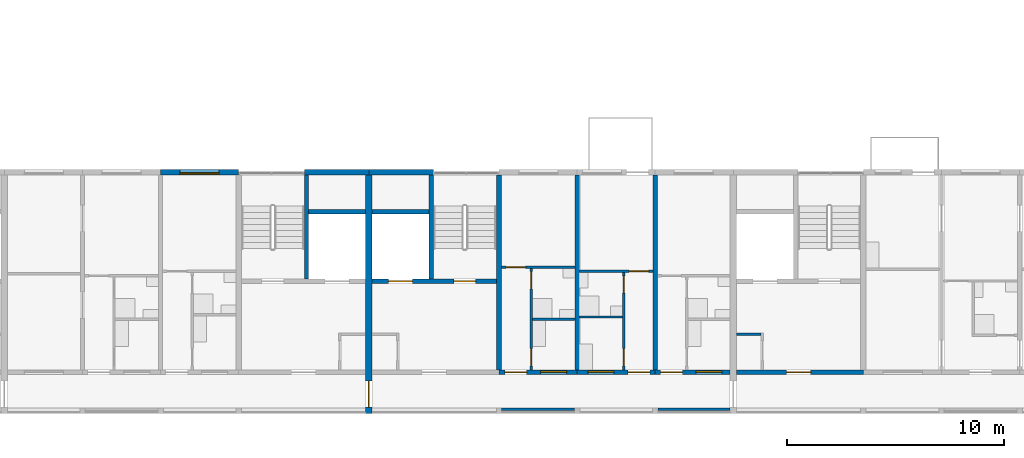
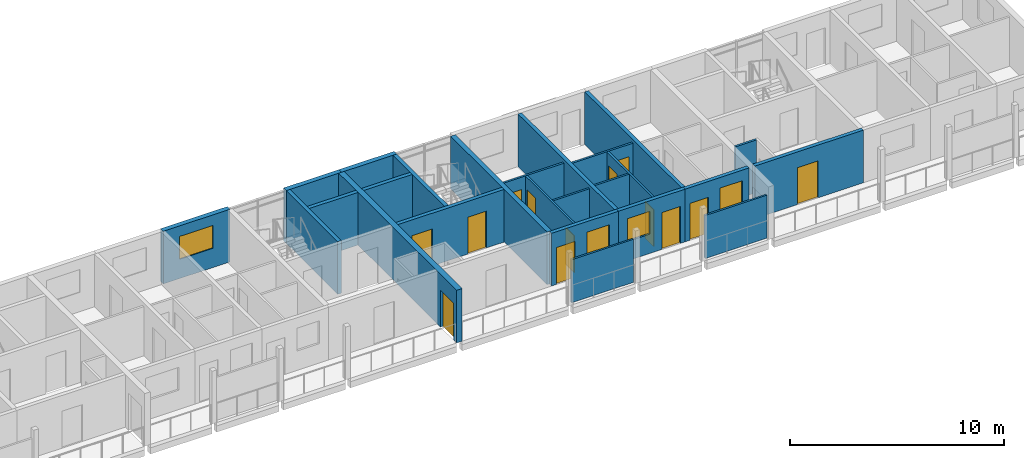
# One storey, part 53 of 93: 25 walls, 13 doors, 4 windows, 17 openings.
"""IFC4 building model written with IfcOpenShell, lengths in metres."""

from ifc_helpers import new_model, si_unit, direction, frame, frame_2d, origin, place, context, subcontext, project, spatial, rectangle, extrude, material, layer, layer_set, type_object, element, fill, save


model = new_model("IFC4")

# Units and contexts
model_context = context("Model", 3, precision=1e-05, world=origin(), true_north=direction((0.0, 1.0)))
body_context = subcontext(model_context, "Body", "Model", "MODEL_VIEW")
ifc_project = project(units=[si_unit("LENGTHUNIT", "METRE"), si_unit("AREAUNIT", "SQUARE_METRE"), si_unit("VOLUMEUNIT", "CUBIC_METRE"), si_unit("PLANEANGLEUNIT", "RADIAN"), si_unit("MASSUNIT", "GRAM", prefix="KILO")], contexts=[model_context])

# Site, building, storey
site_placement = place(None, origin())
site = spatial("IfcSite", under=ifc_project, at=site_placement, CompositionType="ELEMENT")
building_placement = place(site_placement, origin())
building = spatial("IfcBuilding", under=site, at=building_placement, Name="Ridgestep Commons", CompositionType="ELEMENT")
storey_placement = place(building_placement, frame((0.0, 0.0, 18.0)))
storey = spatial("IfcBuildingStorey", under=building, at=storey_placement, Name="L06", CompositionType="ELEMENT", Elevation=18.0)

# Wall
ifc_material_1 = material(Name="Concrete C30/37", Category="concrete")
ifc_layer_1 = layer(ifc_material_1, 0.25)
ifc_layer_set_1 = layer_set([ifc_layer_1], Name="Core cross wall 250")
wall_type_1 = type_object("IfcWallType", Name="Core cross wall 250", PredefinedType="SHEAR", material=ifc_layer_set_1)
wall_1_placement = place(storey_placement, frame((220.0, 13.75, 0.0), z_axis=(0.0, 0.0, 1.0), x_axis=(0.0, 1.0, 0.0)))
element("IfcWall", 1, at=wall_1_placement, inside=storey, type_object=wall_type_1, Name="Cross wall D-06-2200", PredefinedType="SHEAR", context=body_context, shape_type="SweptSolid", body=[
    extrude(rectangle(XDim=9.0, YDim=0.25, at=frame_2d((4.5, 0.0))), origin(), (0.0, 0.0, 1.0), 3.0),
])

# Wall, opening, door
ifc_material_2 = material(Name="Concrete C30/37", Category="concrete")
ifc_layer_2 = layer(ifc_material_2, 0.199951171875)
ifc_layer_set_2 = layer_set([ifc_layer_2], Name="Core south wall 200")
wall_type_2 = type_object("IfcWallType", Name="Core south wall 200", PredefinedType="SHEAR", material=ifc_layer_set_2)
wall_2_placement = place(storey_placement, frame((230.949951171875, 13.64990234375, 0.0), z_axis=(0.0, 0.0, 1.0), x_axis=(1.0, 0.0, 0.0)))
wall_2 = element("IfcWall", 2, at=wall_2_placement, inside=storey, type_object=wall_type_2, Name="Core south wall D6C L06", PredefinedType="SHEAR", context=body_context, shape_type="SweptSolid", body=[
    extrude(rectangle(XDim=5.85009765625, YDim=0.199951171875, at=frame_2d((2.925048828125, 0.0))), origin(), (0.0, 0.0, 1.0), 3.0),
])
opening_1_placement = place(wall_2_placement, frame((2.3125, 0.0, 0.0)))
opening_1 = element("IfcOpeningElement", 3, at=opening_1_placement, cuts=wall_2, Name="Opening D6C/06/1", PredefinedType="OPENING", context=body_context, shape_type="SweptSolid", body=[
    extrude(rectangle(XDim=1.10009765625, YDim=2.10009765625, at=frame_2d((0.550048828125, 1.050048828125))), frame((0.0, 0.10986328125, 0.0), z_axis=(0.0, -1.0, 0.0), x_axis=(1.0, 0.0, 0.0)), (0.0, 0.0, 1.0), 0.219970703125),
])
ifc_material_3 = material(Name="Steel fire door", Category="steel")
door_type_1 = type_object("IfcDoorType", Name="Lobby door 1100 x 2100 FD60", OperationType="NOTDEFINED", PredefinedType="DOOR", material=ifc_material_3)
door_1_placement = place(opening_1_placement, origin())
door_1 = element("IfcDoor", 4, at=door_1_placement, inside=storey, type_object=door_type_1, Name="Lobby door D6C/06/1", OperationType="SINGLE_SWING_LEFT", OverallHeight=2.10009765625, OverallWidth=1.10009765625, PredefinedType="DOOR", context=body_context, shape_type="SweptSolid", body=[
    extrude(rectangle(XDim=1.10009765625, YDim=2.10009765625, at=frame_2d((0.550048828125, 1.050048828125))), frame((0.0, 0.02490234375, 0.0), z_axis=(0.0, -1.0, 0.0), x_axis=(1.0, 0.0, 0.0)), (0.0, 0.0, 1.0), 0.050048828125),
])
fill(opening_1, door_1)

# Walls
ifc_material_4 = material(Name="Concrete C30/37", Category="concrete")
ifc_layer_3 = layer(ifc_material_4, 0.1201171875)
ifc_layer_set_3 = layer_set([ifc_layer_3], Name="Core wall 120")
wall_type_3 = type_object("IfcWallType", Name="Core wall 120", PredefinedType="SHEAR", material=ifc_layer_set_3)
wall_3_placement = place(storey_placement, frame((230.949951171875, 15.409912109375, 0.0), z_axis=(0.0, 0.0, 1.0), x_axis=(1.0, 0.0, 0.0)))
element("IfcWall", 5, at=wall_3_placement, inside=storey, type_object=wall_type_3, Name="Core riser n wall D6C L06", PredefinedType="SHEAR", context=body_context, shape_type="SweptSolid", body=[
    extrude(rectangle(XDim=1.130126953125, YDim=0.1201171875, at=frame_2d((0.56494140625, 0.0))), origin(), (0.0, 0.0, 1.0), 3.0),
])
ifc_material_5 = material(Name="Concrete C30/37", Category="concrete")
ifc_layer_4 = layer(ifc_material_5, 0.199951171875)
ifc_layer_set_4 = layer_set([ifc_layer_4], Name="Core wall 200")
wall_type_4 = type_object("IfcWallType", Name="Core wall 200", PredefinedType="SHEAR", material=ifc_layer_set_4)
wall_4_placement = place(storey_placement, frame((211.125, 17.949951171875, 0.0), z_axis=(0.0, 0.0, 1.0), x_axis=(0.0, 1.0, 0.0)))
element("IfcWall", 6, at=wall_4_placement, inside=storey, type_object=wall_type_4, Name="Core stair wall D4C L06", PredefinedType="SHEAR", context=body_context, shape_type="SweptSolid", body=[
    extrude(rectangle(XDim=4.800048828125, YDim=0.199951171875, at=frame_2d((2.39990234375, 0.0))), origin(), (0.0, 0.0, 1.0), 3.0),
])
wall_5_placement = place(storey_placement, frame((211.22509765625, 21.050048828125, 0.0), z_axis=(0.0, 0.0, 1.0), x_axis=(1.0, 0.0, 0.0)))
element("IfcWall", 7, at=wall_5_placement, inside=storey, type_object=wall_type_4, Name="Core duct wall D4C L06", PredefinedType="SHEAR", context=body_context, shape_type="SweptSolid", body=[
    extrude(rectangle(XDim=2.625, YDim=0.199951171875, at=frame_2d((1.3125, 0.0))), origin(), (0.0, 0.0, 1.0), 3.0),
])

# Wall, openings, doors
wall_6_placement = place(storey_placement, frame((214.14990234375, 17.85009765625, 0.0), z_axis=(0.0, 0.0, 1.0), x_axis=(1.0, 0.0, 0.0)))
wall_6 = element("IfcWall", 8, at=wall_6_placement, inside=storey, type_object=wall_type_4, Name="Core lobby wall D5C L06", PredefinedType="SHEAR", context=body_context, shape_type="SweptSolid", body=[
    extrude(rectangle(XDim=5.72509765625, YDim=0.199951171875, at=frame_2d((2.862548828125, 0.0))), origin(), (0.0, 0.0, 1.0), 3.0),
])
opening_2_placement = place(wall_6_placement, frame((3.77490234375, 0.0, 0.0)))
opening_2 = element("IfcOpeningElement", 9, at=opening_2_placement, cuts=wall_6, Name="Opening D5C/06/2", PredefinedType="OPENING", context=body_context, shape_type="SweptSolid", body=[
    extrude(rectangle(XDim=1.0, YDim=2.10009765625, at=frame_2d((0.5, 1.050048828125))), frame((0.0, 0.10986328125, 0.0), z_axis=(0.0, -1.0, 0.0), x_axis=(1.0, 0.0, 0.0)), (0.0, 0.0, 1.0), 0.219970703125),
])
opening_3_placement = place(wall_6_placement, frame((0.762451171875, 0.0, 0.0)))
opening_3 = element("IfcOpeningElement", 10, at=opening_3_placement, cuts=wall_6, Name="Opening D5C/06/3", PredefinedType="OPENING", context=body_context, shape_type="SweptSolid", body=[
    extrude(rectangle(XDim=1.10009765625, YDim=2.10009765625, at=frame_2d((0.550048828125, 1.050048828125))), frame((0.0, 0.10986328125, 0.0), z_axis=(0.0, -1.0, 0.0), x_axis=(1.0, 0.0, 0.0)), (0.0, 0.0, 1.0), 0.219970703125),
])
ifc_material_6 = material(Name="Stainless steel", Category="steel")
door_type_2 = type_object("IfcDoorType", Name="Lift landing door 1100 x 2100 FD60", OperationType="DOUBLE_DOOR_SLIDING", PredefinedType="DOOR", material=ifc_material_6)
door_2_placement = place(opening_3_placement, origin())
door_2 = element("IfcDoor", 11, at=door_2_placement, inside=storey, type_object=door_type_2, Name="Landing door LD D5C L06", OperationType="DOUBLE_DOOR_SLIDING", OverallHeight=2.10009765625, OverallWidth=1.10009765625, PredefinedType="DOOR", context=body_context, shape_type="SweptSolid", body=[
    extrude(rectangle(XDim=1.10009765625, YDim=2.10009765625, at=frame_2d((0.550048828125, 1.050048828125))), frame((0.0, 0.02490234375, 0.0), z_axis=(0.0, -1.0, 0.0), x_axis=(1.0, 0.0, 0.0)), (0.0, 0.0, 1.0), 0.050048828125),
])
fill(opening_3, door_2)
ifc_material_7 = material(Name="Steel fire door", Category="steel")
door_type_3 = type_object("IfcDoorType", Name="Stair door 1000 x 2100 FD60", OperationType="NOTDEFINED", PredefinedType="DOOR", material=ifc_material_7)
door_3_placement = place(opening_2_placement, origin())
door_3 = element("IfcDoor", 12, at=door_3_placement, inside=storey, type_object=door_type_3, Name="Stair door D5C/06/2", OperationType="SINGLE_SWING_RIGHT", OverallHeight=2.10009765625, OverallWidth=1.0, PredefinedType="DOOR", context=body_context, shape_type="SweptSolid", body=[
    extrude(rectangle(XDim=1.0, YDim=2.10009765625, at=frame_2d((0.5, 1.050048828125))), frame((0.0, 0.02490234375, 0.0), z_axis=(0.0, -1.0, 0.0), x_axis=(1.0, 0.0, 0.0)), (0.0, 0.0, 1.0), 0.050048828125),
])
fill(opening_2, door_3)

# Walls
wall_7_placement = place(storey_placement, frame((216.875, 17.949951171875, 0.0), z_axis=(0.0, 0.0, 1.0), x_axis=(0.0, 1.0, 0.0)))
element("IfcWall", 13, at=wall_7_placement, inside=storey, type_object=wall_type_4, Name="Core stair wall D5C L06", PredefinedType="SHEAR", context=body_context, shape_type="SweptSolid", body=[
    extrude(rectangle(XDim=4.800048828125, YDim=0.199951171875, at=frame_2d((2.39990234375, 0.0))), origin(), (0.0, 0.0, 1.0), 3.0),
])
wall_8_placement = place(storey_placement, frame((214.14990234375, 21.050048828125, 0.0), z_axis=(0.0, 0.0, 1.0), x_axis=(1.0, 0.0, 0.0)))
element("IfcWall", 14, at=wall_8_placement, inside=storey, type_object=wall_type_4, Name="Core duct wall D5C L06", PredefinedType="SHEAR", context=body_context, shape_type="SweptSolid", body=[
    extrude(rectangle(XDim=2.625, YDim=0.199951171875, at=frame_2d((1.3125, 0.0))), origin(), (0.0, 0.0, 1.0), 3.0),
])
ifc_material_8 = material(Name="Precast concrete C40/50", Category="concrete")
ifc_layer_5 = layer(ifc_material_8, 0.199951171875)
ifc_layer_set_5 = layer_set([ifc_layer_5], Name="Cross wall 200")
wall_type_5 = type_object("IfcWallType", Name="Cross wall 200", PredefinedType="SHEAR", material=ifc_layer_set_5)
for number, where, z_axis, x_axis, name in (
    (15, (223.60009765625, 13.75, 0.0), (0.0, 0.0, 1.0), (0.0, 1.0, 0.0), "Cross wall D-06-2236"),
    (16, (227.199951171875, 13.75, 0.0), (0.0, 0.0, 1.0), (0.0, 1.0, 0.0), "Cross wall D-06-2272"),
):
    element("IfcWall", number, at=place(storey_placement, frame(where, z_axis=z_axis, x_axis=x_axis)), inside=storey, type_object=wall_type_5, Name=name, PredefinedType="SHEAR", context=body_context, shape_type="SweptSolid", body=[
        extrude(rectangle(XDim=9.0, YDim=0.199951171875, at=frame_2d((4.5, 0.0))), origin(), (0.0, 0.0, 1.0), 3.0),
    ])

# Wall, opening, door
ifc_material_9 = material(Name="Precast concrete C40/50", Category="concrete")
ifc_layer_6 = layer(ifc_material_9, 0.300048828125)
ifc_layer_set_6 = layer_set([ifc_layer_6], Name="Division wall 300")
wall_type_6 = type_object("IfcWallType", Name="Division wall 300", PredefinedType="SHEAR", material=ifc_layer_set_6)
wall_9_placement = place(storey_placement, frame((214.0, 11.75, 0.0), z_axis=(0.0, 0.0, 1.0), x_axis=(0.0, 1.0, 0.0)))
wall_9 = element("IfcWall", 17, at=wall_9_placement, inside=storey, type_object=wall_type_6, Name="Cross wall D-06-2140", PredefinedType="SHEAR", context=body_context, shape_type="SweptSolid", body=[
    extrude(rectangle(XDim=11.0, YDim=0.300048828125, at=frame_2d((5.5, 0.0))), origin(), (0.0, 0.0, 1.0), 3.0),
])
opening_4_placement = place(wall_9_placement, frame((0.300048828125, 0.0, 0.0)))
opening_4 = element("IfcOpeningElement", 18, at=opening_4_placement, cuts=wall_9, Name="Opening D/06/G2140", PredefinedType="OPENING", context=body_context, shape_type="SweptSolid", body=[
    extrude(rectangle(XDim=1.199951171875, YDim=2.10009765625, at=frame_2d((0.60009765625, 1.050048828125))), frame((0.0, 0.159912109375, 0.0), z_axis=(0.0, -1.0, 0.0), x_axis=(1.0, 0.0, 0.0)), (0.0, 0.0, 1.0), 0.320068359375),
])
ifc_material_10 = material(Name="Steel fire door", Category="steel")
door_type_4 = type_object("IfcDoorType", Name="Division fire door 1200 x 2100 EI 240", OperationType="DOUBLE_DOOR_SINGLE_SWING", PredefinedType="DOOR", material=ifc_material_10)
door_4_placement = place(opening_4_placement, origin())
door_4 = element("IfcDoor", 19, at=door_4_placement, inside=storey, type_object=door_type_4, Name="Division fire door D/06/G2140", OperationType="DOUBLE_DOOR_SINGLE_SWING", OverallHeight=2.10009765625, OverallWidth=1.199951171875, PredefinedType="DOOR", context=body_context, shape_type="SweptSolid", body=[
    extrude(rectangle(XDim=1.199951171875, YDim=2.10009765625, at=frame_2d((0.60009765625, 1.050048828125))), frame((0.0, 0.02490234375, 0.0), z_axis=(0.0, -1.0, 0.0), x_axis=(1.0, 0.0, 0.0)), (0.0, 0.0, 1.0), 0.050048828125),
])
fill(opening_4, door_4)

# Wall, opening, window
ifc_material_11 = material(Name="Precast concrete C40/50", Category="concrete")
ifc_layer_7 = layer(ifc_material_11, 0.25)
ifc_layer_set_7 = layer_set([ifc_layer_7], Name="North facade panel 250")
wall_type_7 = type_object("IfcWallType", Name="North facade panel 250", PredefinedType="SOLIDWALL", material=ifc_layer_set_7)
wall_10_placement = place(storey_placement, frame((204.39990234375, 22.875, 0.0), z_axis=(0.0, 0.0, 1.0), x_axis=(1.0, 0.0, 0.0)))
wall_10 = element("IfcWall", 20, at=wall_10_placement, inside=storey, type_object=wall_type_7, Name="North panel D4T3 L06", PredefinedType="SOLIDWALL", context=body_context, shape_type="SweptSolid", body=[
    extrude(rectangle(XDim=3.60009765625, YDim=0.25, at=frame_2d((1.800048828125, 0.0))), origin(), (0.0, 0.0, 1.0), 3.0),
])
opening_5_placement = place(wall_10_placement, frame((0.887451171875, 0.0, 1.10009765625)))
opening_5 = element("IfcOpeningElement", 21, at=opening_5_placement, cuts=wall_10, Name="Opening W18", PredefinedType="OPENING", context=body_context, shape_type="SweptSolid", body=[
    extrude(rectangle(XDim=1.800048828125, YDim=1.300048828125, at=frame_2d((0.89990234375, 0.64990234375))), frame((0.0, 0.135009765625, 0.0), z_axis=(0.0, -1.0, 0.0), x_axis=(1.0, 0.0, 0.0)), (0.0, 0.0, 1.0), 0.27001953125),
])
ifc_material_12 = material(Name="Aluminium 6063-T6 and glass", Category="aluminium")
window_type_1 = type_object("IfcWindowType", Name="Flat window 1800 x 1300", PartitioningType="DOUBLE_PANEL_VERTICAL", PredefinedType="WINDOW", material=ifc_material_12)
window_1_placement = place(opening_5_placement, origin())
window_1 = element("IfcWindow", 22, at=window_1_placement, inside=storey, type_object=window_type_1, Name="Window D4-06b 2", OverallHeight=1.300048828125, OverallWidth=1.800048828125, PartitioningType="SINGLE_PANEL", PredefinedType="WINDOW", context=body_context, shape_type="SweptSolid", body=[
    extrude(rectangle(XDim=1.800048828125, YDim=1.300048828125, at=frame_2d((0.89990234375, 0.64990234375))), frame((0.0, -0.02490234375, 0.0), z_axis=(0.0, -1.0, 0.0), x_axis=(1.0, 0.0, 0.0)), (0.0, 0.0, 1.0), 0.06005859375),
])
fill(opening_5, window_1)

# Walls
for number, where, z_axis, x_axis, name in (
    (23, (211.02490234375, 22.875, 0.0), (0.0, 0.0, 1.0), (1.0, 0.0, 0.0), "North panel D4C L06"),
    (24, (214.0, 22.875, 0.0), (0.0, 0.0, 1.0), (1.0, 0.0, 0.0), "North panel D5C L06"),
):
    element("IfcWall", number, at=place(storey_placement, frame(where, z_axis=z_axis, x_axis=x_axis)), inside=storey, type_object=wall_type_7, Name=name, PredefinedType="SOLIDWALL", context=body_context, shape_type="SweptSolid", body=[
        extrude(rectangle(XDim=2.97509765625, YDim=0.25, at=frame_2d((1.487548828125, 0.0))), origin(), (0.0, 0.0, 1.0), 3.0),
    ])
ifc_material_13 = material(Name="Common brick 110 mm", Category="masonry")
ifc_layer_8 = layer(ifc_material_13, 0.110107421875)
ifc_layer_set_8 = layer_set([ifc_layer_8], Name="Partition 110")
wall_type_8 = type_object("IfcWallType", Name="Partition 110", PredefinedType="PARTITIONING", material=ifc_layer_set_8)
wall_11_placement = place(storey_placement, frame((223.699951171875, 16.205078125, 0.0), z_axis=(0.0, 0.0, 1.0), x_axis=(1.0, 0.0, 0.0)))
element("IfcWall", 25, at=wall_11_placement, inside=storey, type_object=wall_type_8, Name="Partition D5-06b", PredefinedType="PARTITIONING", context=body_context, shape_type="SweptSolid", body=[
    extrude(rectangle(XDim=1.989990234375, YDim=0.110107421875, at=frame_2d((0.9951171875, 0.0))), origin(), (0.0, 0.0, 1.0), 2.800048828125),
])

# Wall, openings, doors
wall_12_placement = place(storey_placement, frame((225.7451171875, 13.75, 0.0), z_axis=(0.0, 0.0, 1.0), x_axis=(0.0, 1.0, 0.0)))
wall_12 = element("IfcWall", 26, at=wall_12_placement, inside=storey, type_object=wall_type_8, Name="Partition D5-06b", PredefinedType="PARTITIONING", context=body_context, shape_type="SweptSolid", body=[
    extrude(rectangle(XDim=4.5, YDim=0.110107421875, at=frame_2d((2.25, 0.0))), origin(), (0.0, 0.0, 1.0), 2.800048828125),
])
opening_6_placement = place(wall_12_placement, frame((0.199951171875, 0.0, 0.0)))
opening_6 = element("IfcOpeningElement", 27, at=opening_6_placement, cuts=wall_12, Name="Opening D5-06b/2", PredefinedType="OPENING", context=body_context, shape_type="SweptSolid", body=[
    extrude(rectangle(XDim=0.800048828125, YDim=2.10009765625, at=frame_2d((0.39990234375, 1.050048828125))), frame((0.0, 0.06494140625, 0.0), z_axis=(0.0, -1.0, 0.0), x_axis=(1.0, 0.0, 0.0)), (0.0, 0.0, 1.0), 0.130126953125),
])
opening_7_placement = place(wall_12_placement, frame((3.550048828125, 0.0, 0.0)))
opening_7 = element("IfcOpeningElement", 28, at=opening_7_placement, cuts=wall_12, Name="Opening D5-06b/3", PredefinedType="OPENING", context=body_context, shape_type="SweptSolid", body=[
    extrude(rectangle(XDim=0.800048828125, YDim=2.10009765625, at=frame_2d((0.39990234375, 1.050048828125))), frame((0.0, 0.06494140625, 0.0), z_axis=(0.0, -1.0, 0.0), x_axis=(1.0, 0.0, 0.0)), (0.0, 0.0, 1.0), 0.130126953125),
])
ifc_material_14 = material(Name="Timber door leaf", Category="wood")
door_type_5 = type_object("IfcDoorType", Name="Internal door 800 x 2100", OperationType="NOTDEFINED", PredefinedType="DOOR", material=ifc_material_14)
door_5_placement = place(opening_6_placement, origin())
door_5 = element("IfcDoor", 29, at=door_5_placement, inside=storey, type_object=door_type_5, Name="Internal door D5-06b/2", OperationType="SINGLE_SWING_LEFT", OverallHeight=2.10009765625, OverallWidth=0.800048828125, PredefinedType="DOOR", context=body_context, shape_type="SweptSolid", body=[
    extrude(rectangle(XDim=0.800048828125, YDim=2.10009765625, at=frame_2d((0.39990234375, 1.050048828125))), frame((0.0, 0.02490234375, 0.0), z_axis=(0.0, -1.0, 0.0), x_axis=(1.0, 0.0, 0.0)), (0.0, 0.0, 1.0), 0.050048828125),
])
fill(opening_6, door_5)
door_6_placement = place(opening_7_placement, origin())
door_6 = element("IfcDoor", 30, at=door_6_placement, inside=storey, type_object=door_type_5, Name="Internal door D5-06b/3", OperationType="SINGLE_SWING_RIGHT", OverallHeight=2.10009765625, OverallWidth=0.800048828125, PredefinedType="DOOR", context=body_context, shape_type="SweptSolid", body=[
    extrude(rectangle(XDim=0.800048828125, YDim=2.10009765625, at=frame_2d((0.39990234375, 1.050048828125))), frame((0.0, 0.02490234375, 0.0), z_axis=(0.0, -1.0, 0.0), x_axis=(1.0, 0.0, 0.0)), (0.0, 0.0, 1.0), 0.050048828125),
])
fill(opening_7, door_6)

# Wall, opening, door
wall_13_placement = place(storey_placement, frame((223.699951171875, 18.304931640625, 0.0), z_axis=(0.0, 0.0, 1.0), x_axis=(1.0, 0.0, 0.0)))
wall_13 = element("IfcWall", 31, at=wall_13_placement, inside=storey, type_object=wall_type_8, Name="Partition D5-06b", PredefinedType="PARTITIONING", context=body_context, shape_type="SweptSolid", body=[
    extrude(rectangle(XDim=3.400146484375, YDim=0.110107421875, at=frame_2d((1.7001953125, 0.0))), origin(), (0.0, 0.0, 1.0), 2.800048828125),
])
opening_8_placement = place(wall_13_placement, frame((2.300048828125, 0.0, 0.0)))
opening_8 = element("IfcOpeningElement", 32, at=opening_8_placement, cuts=wall_13, Name="Opening D5-06b/4", PredefinedType="OPENING", context=body_context, shape_type="SweptSolid", body=[
    extrude(rectangle(XDim=0.89990234375, YDim=2.10009765625, at=frame_2d((0.449951171875, 1.050048828125))), frame((0.0, 0.06494140625, 0.0), z_axis=(0.0, -1.0, 0.0), x_axis=(1.0, 0.0, 0.0)), (0.0, 0.0, 1.0), 0.130126953125),
])
ifc_material_15 = material(Name="Timber door leaf", Category="wood")
door_type_6 = type_object("IfcDoorType", Name="Internal door 900 x 2100", OperationType="NOTDEFINED", PredefinedType="DOOR", material=ifc_material_15)
door_7_placement = place(opening_8_placement, origin())
door_7 = element("IfcDoor", 33, at=door_7_placement, inside=storey, type_object=door_type_6, Name="Internal door D5-06b/4", OperationType="SINGLE_SWING_LEFT", OverallHeight=2.10009765625, OverallWidth=0.89990234375, PredefinedType="DOOR", context=body_context, shape_type="SweptSolid", body=[
    extrude(rectangle(XDim=0.89990234375, YDim=2.10009765625, at=frame_2d((0.449951171875, 1.050048828125))), frame((0.0, 0.02490234375, 0.0), z_axis=(0.0, -1.0, 0.0), x_axis=(1.0, 0.0, 0.0)), (0.0, 0.0, 1.0), 0.050048828125),
])
fill(opening_8, door_7)

# Wall, openings, doors
wall_14_placement = place(storey_placement, frame((221.47998046875, 13.75, 0.0), z_axis=(0.0, 0.0, 1.0), x_axis=(0.0, 1.0, 0.0)))
wall_14 = element("IfcWall", 34, at=wall_14_placement, inside=storey, type_object=wall_type_8, Name="Partition D5-06c", PredefinedType="PARTITIONING", context=body_context, shape_type="SweptSolid", body=[
    extrude(rectangle(XDim=4.699951171875, YDim=0.110107421875, at=frame_2d((2.35009765625, 0.0))), origin(), (0.0, 0.0, 1.0), 2.800048828125),
])
opening_9_placement = place(wall_14_placement, frame((0.199951171875, 0.0, 0.0)))
opening_9 = element("IfcOpeningElement", 35, at=opening_9_placement, cuts=wall_14, Name="Opening D5-06c/2", PredefinedType="OPENING", context=body_context, shape_type="SweptSolid", body=[
    extrude(rectangle(XDim=0.800048828125, YDim=2.10009765625, at=frame_2d((0.39990234375, 1.050048828125))), frame((0.0, 0.06494140625, 0.0), z_axis=(0.0, -1.0, 0.0), x_axis=(1.0, 0.0, 0.0)), (0.0, 0.0, 1.0), 0.130126953125),
])
opening_10_placement = place(wall_14_placement, frame((3.75, 0.0, 0.0)))
opening_10 = element("IfcOpeningElement", 36, at=opening_10_placement, cuts=wall_14, Name="Opening D5-06c/3", PredefinedType="OPENING", context=body_context, shape_type="SweptSolid", body=[
    extrude(rectangle(XDim=0.800048828125, YDim=2.10009765625, at=frame_2d((0.39990234375, 1.050048828125))), frame((0.0, 0.06494140625, 0.0), z_axis=(0.0, -1.0, 0.0), x_axis=(1.0, 0.0, 0.0)), (0.0, 0.0, 1.0), 0.130126953125),
])
door_8_placement = place(opening_9_placement, origin())
door_8 = element("IfcDoor", 37, at=door_8_placement, inside=storey, type_object=door_type_5, Name="Internal door D5-06c/2", OperationType="SINGLE_SWING_RIGHT", OverallHeight=2.10009765625, OverallWidth=0.800048828125, PredefinedType="DOOR", context=body_context, shape_type="SweptSolid", body=[
    extrude(rectangle(XDim=0.800048828125, YDim=2.10009765625, at=frame_2d((0.39990234375, 1.050048828125))), frame((0.0, 0.02490234375, 0.0), z_axis=(0.0, -1.0, 0.0), x_axis=(1.0, 0.0, 0.0)), (0.0, 0.0, 1.0), 0.050048828125),
])
fill(opening_9, door_8)
door_9_placement = place(opening_10_placement, origin())
door_9 = element("IfcDoor", 38, at=door_9_placement, inside=storey, type_object=door_type_5, Name="Internal door D5-06c/3", OperationType="SINGLE_SWING_LEFT", OverallHeight=2.10009765625, OverallWidth=0.800048828125, PredefinedType="DOOR", context=body_context, shape_type="SweptSolid", body=[
    extrude(rectangle(XDim=0.800048828125, YDim=2.10009765625, at=frame_2d((0.39990234375, 1.050048828125))), frame((0.0, 0.02490234375, 0.0), z_axis=(0.0, -1.0, 0.0), x_axis=(1.0, 0.0, 0.0)), (0.0, 0.0, 1.0), 0.050048828125),
])
fill(opening_10, door_9)

# Wall
wall_15_placement = place(storey_placement, frame((221.534912109375, 16.10498046875, 0.0), z_axis=(0.0, 0.0, 1.0), x_axis=(1.0, 0.0, 0.0)))
element("IfcWall", 39, at=wall_15_placement, inside=storey, type_object=wall_type_8, Name="Partition D5-06c", PredefinedType="PARTITIONING", context=body_context, shape_type="SweptSolid", body=[
    extrude(rectangle(XDim=1.965087890625, YDim=0.110107421875, at=frame_2d((0.982421875, 0.0))), origin(), (0.0, 0.0, 1.0), 2.800048828125),
])

# Wall, opening, door
wall_16_placement = place(storey_placement, frame((220.125, 18.5048828125, 0.0), z_axis=(0.0, 0.0, 1.0), x_axis=(1.0, 0.0, 0.0)))
wall_16 = element("IfcWall", 40, at=wall_16_placement, inside=storey, type_object=wall_type_8, Name="Partition D5-06c", PredefinedType="PARTITIONING", context=body_context, shape_type="SweptSolid", body=[
    extrude(rectangle(XDim=3.375, YDim=0.110107421875, at=frame_2d((1.6875, 0.0))), origin(), (0.0, 0.0, 1.0), 2.800048828125),
])
opening_11_placement = place(wall_16_placement, frame((0.199951171875, 0.0, 0.0)))
opening_11 = element("IfcOpeningElement", 41, at=opening_11_placement, cuts=wall_16, Name="Opening D5-06c/4", PredefinedType="OPENING", context=body_context, shape_type="SweptSolid", body=[
    extrude(rectangle(XDim=0.89990234375, YDim=2.10009765625, at=frame_2d((0.449951171875, 1.050048828125))), frame((0.0, 0.06494140625, 0.0), z_axis=(0.0, -1.0, 0.0), x_axis=(1.0, 0.0, 0.0)), (0.0, 0.0, 1.0), 0.130126953125),
])
door_10_placement = place(opening_11_placement, origin())
door_10 = element("IfcDoor", 42, at=door_10_placement, inside=storey, type_object=door_type_6, Name="Internal door D5-06c/4", OperationType="SINGLE_SWING_LEFT", OverallHeight=2.10009765625, OverallWidth=0.89990234375, PredefinedType="DOOR", context=body_context, shape_type="SweptSolid", body=[
    extrude(rectangle(XDim=0.89990234375, YDim=2.10009765625, at=frame_2d((0.449951171875, 1.050048828125))), frame((0.0, 0.02490234375, 0.0), z_axis=(0.0, -1.0, 0.0), x_axis=(1.0, 0.0, 0.0)), (0.0, 0.0, 1.0), 0.050048828125),
])
fill(opening_11, door_10)

# Walls
ifc_material_16 = material(Name="Precast concrete C30/37", Category="concrete")
ifc_layer_9 = layer(ifc_material_16, 0.10009765625)
ifc_layer_set_9 = layer_set([ifc_layer_9], Name="Perforated gallery screen 3325 x 2450 x 100")
wall_type_9 = type_object("IfcWallType", Name="Perforated gallery screen 3325 x 2450 x 100", PredefinedType="SOLIDWALL", material=ifc_layer_set_9)
wall_17_placement = place(storey_placement, frame((227.324951171875, 11.949951171875, 0.0), z_axis=(0.0, 0.0, 1.0), x_axis=(1.0, 0.0, 0.0)))
element("IfcWall", 43, at=wall_17_placement, inside=storey, type_object=wall_type_9, Name="Gallery screen D5T1 06", PredefinedType="SOLIDWALL", context=body_context, shape_type="SweptSolid", body=[
    extrude(rectangle(XDim=3.324951171875, YDim=0.10009765625, at=frame_2d((1.66259765625, 0.0))), origin(), (0.0, 0.0, 1.0), 2.449951171875),
])
ifc_material_17 = material(Name="Precast concrete C30/37", Category="concrete")
ifc_layer_10 = layer(ifc_material_17, 0.10009765625)
ifc_layer_set_10 = layer_set([ifc_layer_10], Name="Perforated gallery screen 3350 x 2450 x 100")
wall_type_10 = type_object("IfcWallType", Name="Perforated gallery screen 3350 x 2450 x 100", PredefinedType="SOLIDWALL", material=ifc_layer_set_10)
wall_18_placement = place(storey_placement, frame((220.125, 11.949951171875, 0.0), z_axis=(0.0, 0.0, 1.0), x_axis=(1.0, 0.0, 0.0)))
element("IfcWall", 44, at=wall_18_placement, inside=storey, type_object=wall_type_10, Name="Gallery screen D5T3 06", PredefinedType="SOLIDWALL", context=body_context, shape_type="SweptSolid", body=[
    extrude(rectangle(XDim=3.35009765625, YDim=0.10009765625, at=frame_2d((1.675048828125, 0.0))), origin(), (0.0, 0.0, 1.0), 2.449951171875),
])

# Wall, openings, door, window
ifc_material_18 = material(Name="Precast concrete C40/50", Category="concrete")
ifc_layer_11 = layer(ifc_material_18, 0.199951171875)
ifc_layer_set_11 = layer_set([ifc_layer_11], Name="South facade panel 200")
wall_type_11 = type_object("IfcWallType", Name="South facade panel 200", PredefinedType="SOLIDWALL", material=ifc_layer_set_11)
wall_19_placement = place(storey_placement, frame((220.0, 13.64990234375, 0.0), z_axis=(0.0, 0.0, 1.0), x_axis=(1.0, 0.0, 0.0)))
wall_19 = element("IfcWall", 45, at=wall_19_placement, inside=storey, type_object=wall_type_11, Name="South panel D5T3 L06", PredefinedType="SOLIDWALL", context=body_context, shape_type="SweptSolid", body=[
    extrude(rectangle(XDim=3.60009765625, YDim=0.199951171875, at=frame_2d((1.800048828125, 0.0))), origin(), (0.0, 0.0, 1.0), 3.0),
])
opening_12_placement = place(wall_19_placement, frame((1.91748046875, 0.0, 1.10009765625)))
opening_12 = element("IfcOpeningElement", 46, at=opening_12_placement, cuts=wall_19, Name="Opening W08", PredefinedType="OPENING", context=body_context, shape_type="SweptSolid", body=[
    extrude(rectangle(XDim=1.199951171875, YDim=1.300048828125, at=frame_2d((0.60009765625, 0.64990234375))), frame((0.0, 0.10986328125, 0.0), z_axis=(0.0, -1.0, 0.0), x_axis=(1.0, 0.0, 0.0)), (0.0, 0.0, 1.0), 0.219970703125),
])
opening_13_placement = place(wall_19_placement, frame((0.27490234375, 0.0, 0.0)))
opening_13 = element("IfcOpeningElement", 47, at=opening_13_placement, cuts=wall_19, Name="Opening D5-06c/1", PredefinedType="OPENING", context=body_context, shape_type="SweptSolid", body=[
    extrude(rectangle(XDim=1.0, YDim=2.10009765625, at=frame_2d((0.5, 1.050048828125))), frame((0.0, 0.10986328125, 0.0), z_axis=(0.0, -1.0, 0.0), x_axis=(1.0, 0.0, 0.0)), (0.0, 0.0, 1.0), 0.219970703125),
])
ifc_material_19 = material(Name="Timber door leaf", Category="wood")
door_type_7 = type_object("IfcDoorType", Name="Flat entrance door 1000 x 2100 FD30S", OperationType="NOTDEFINED", PredefinedType="DOOR", material=ifc_material_19)
door_11_placement = place(opening_13_placement, origin())
door_11 = element("IfcDoor", 48, at=door_11_placement, inside=storey, type_object=door_type_7, Name="Flat entrance door D5-06c/1", OperationType="SINGLE_SWING_LEFT", OverallHeight=2.10009765625, OverallWidth=1.0, PredefinedType="DOOR", context=body_context, shape_type="SweptSolid", body=[
    extrude(rectangle(XDim=1.0, YDim=2.10009765625, at=frame_2d((0.5, 1.050048828125))), frame((0.0, 0.02490234375, 0.0), z_axis=(0.0, -1.0, 0.0), x_axis=(1.0, 0.0, 0.0)), (0.0, 0.0, 1.0), 0.050048828125),
])
fill(opening_13, door_11)
ifc_material_20 = material(Name="Aluminium 6063-T6 and glass", Category="aluminium")
window_type_2 = type_object("IfcWindowType", Name="Flat window 1200 x 1300", PartitioningType="SINGLE_PANEL", PredefinedType="WINDOW", material=ifc_material_20)
window_2_placement = place(opening_12_placement, origin())
window_2 = element("IfcWindow", 49, at=window_2_placement, inside=storey, type_object=window_type_2, Name="Window D5-06c 1", OverallHeight=1.300048828125, OverallWidth=1.199951171875, PartitioningType="SINGLE_PANEL", PredefinedType="WINDOW", context=body_context, shape_type="SweptSolid", body=[
    extrude(rectangle(XDim=1.199951171875, YDim=1.300048828125, at=frame_2d((0.60009765625, 0.64990234375))), frame((0.0, 0.06005859375, 0.0), z_axis=(0.0, -1.0, 0.0), x_axis=(1.0, 0.0, 0.0)), (0.0, 0.0, 1.0), 0.06005859375),
])
fill(opening_12, window_2)

wall_20_placement = place(storey_placement, frame((223.60009765625, 13.64990234375, 0.0), z_axis=(0.0, 0.0, 1.0), x_axis=(1.0, 0.0, 0.0)))
wall_20 = element("IfcWall", 50, at=wall_20_placement, inside=storey, type_object=wall_type_11, Name="South panel D5T2 L06", PredefinedType="SOLIDWALL", context=body_context, shape_type="SweptSolid", body=[
    extrude(rectangle(XDim=3.599853515625, YDim=0.199951171875, at=frame_2d((1.7998046875, 0.0))), origin(), (0.0, 0.0, 1.0), 3.0),
])
opening_14_placement = place(wall_20_placement, frame((0.4951171875, 0.0, 1.10009765625)))
opening_14 = element("IfcOpeningElement", 51, at=opening_14_placement, cuts=wall_20, Name="Opening W08", PredefinedType="OPENING", context=body_context, shape_type="SweptSolid", body=[
    extrude(rectangle(XDim=1.199951171875, YDim=1.300048828125, at=frame_2d((0.60009765625, 0.64990234375))), frame((0.0, 0.10986328125, 0.0), z_axis=(0.0, -1.0, 0.0), x_axis=(1.0, 0.0, 0.0)), (0.0, 0.0, 1.0), 0.219970703125),
])
opening_15_placement = place(wall_20_placement, frame((2.35009765625, 0.0, 0.0)))
opening_15 = element("IfcOpeningElement", 52, at=opening_15_placement, cuts=wall_20, Name="Opening D5-06b/1", PredefinedType="OPENING", context=body_context, shape_type="SweptSolid", body=[
    extrude(rectangle(XDim=1.0, YDim=2.10009765625, at=frame_2d((0.5, 1.050048828125))), frame((0.0, 0.10986328125, 0.0), z_axis=(0.0, -1.0, 0.0), x_axis=(1.0, 0.0, 0.0)), (0.0, 0.0, 1.0), 0.219970703125),
])
door_12_placement = place(opening_15_placement, origin())
door_12 = element("IfcDoor", 53, at=door_12_placement, inside=storey, type_object=door_type_7, Name="Flat entrance door D5-06b/1", OperationType="SINGLE_SWING_RIGHT", OverallHeight=2.10009765625, OverallWidth=1.0, PredefinedType="DOOR", context=body_context, shape_type="SweptSolid", body=[
    extrude(rectangle(XDim=1.0, YDim=2.10009765625, at=frame_2d((0.5, 1.050048828125))), frame((0.0, 0.02490234375, 0.0), z_axis=(0.0, -1.0, 0.0), x_axis=(1.0, 0.0, 0.0)), (0.0, 0.0, 1.0), 0.050048828125),
])
fill(opening_15, door_12)
window_3_placement = place(opening_14_placement, origin())
window_3 = element("IfcWindow", 54, at=window_3_placement, inside=storey, type_object=window_type_2, Name="Window D5-06b 1", OverallHeight=1.300048828125, OverallWidth=1.199951171875, PartitioningType="SINGLE_PANEL", PredefinedType="WINDOW", context=body_context, shape_type="SweptSolid", body=[
    extrude(rectangle(XDim=1.199951171875, YDim=1.300048828125, at=frame_2d((0.60009765625, 0.64990234375))), frame((0.0, 0.06005859375, 0.0), z_axis=(0.0, -1.0, 0.0), x_axis=(1.0, 0.0, 0.0)), (0.0, 0.0, 1.0), 0.06005859375),
])
fill(opening_14, window_3)

wall_21_placement = place(storey_placement, frame((227.199951171875, 13.64990234375, 0.0), z_axis=(0.0, 0.0, 1.0), x_axis=(1.0, 0.0, 0.0)))
wall_21 = element("IfcWall", 55, at=wall_21_placement, inside=storey, type_object=wall_type_11, Name="South panel D5T1 L06", PredefinedType="SOLIDWALL", context=body_context, shape_type="SweptSolid", body=[
    extrude(rectangle(XDim=3.449951171875, YDim=0.199951171875, at=frame_2d((1.72509765625, 0.0))), origin(), (0.0, 0.0, 1.0), 3.0),
])
opening_16_placement = place(wall_21_placement, frame((1.8798828125, 0.0, 1.10009765625)))
opening_16 = element("IfcOpeningElement", 56, at=opening_16_placement, cuts=wall_21, Name="Opening W08", PredefinedType="OPENING", context=body_context, shape_type="SweptSolid", body=[
    extrude(rectangle(XDim=1.199951171875, YDim=1.300048828125, at=frame_2d((0.60009765625, 0.64990234375))), frame((0.0, 0.10986328125, 0.0), z_axis=(0.0, -1.0, 0.0), x_axis=(1.0, 0.0, 0.0)), (0.0, 0.0, 1.0), 0.219970703125),
])
opening_17_placement = place(wall_21_placement, frame((0.25, 0.0, 0.0)))
opening_17 = element("IfcOpeningElement", 57, at=opening_17_placement, cuts=wall_21, Name="Opening D5-06a/1", PredefinedType="OPENING", context=body_context, shape_type="SweptSolid", body=[
    extrude(rectangle(XDim=1.0, YDim=2.10009765625, at=frame_2d((0.5, 1.050048828125))), frame((0.0, 0.10986328125, 0.0), z_axis=(0.0, -1.0, 0.0), x_axis=(1.0, 0.0, 0.0)), (0.0, 0.0, 1.0), 0.219970703125),
])
door_13_placement = place(opening_17_placement, origin())
door_13 = element("IfcDoor", 58, at=door_13_placement, inside=storey, type_object=door_type_7, Name="Flat entrance door D5-06a/1", OperationType="SINGLE_SWING_LEFT", OverallHeight=2.10009765625, OverallWidth=1.0, PredefinedType="DOOR", context=body_context, shape_type="SweptSolid", body=[
    extrude(rectangle(XDim=1.0, YDim=2.10009765625, at=frame_2d((0.5, 1.050048828125))), frame((0.0, 0.02490234375, 0.0), z_axis=(0.0, -1.0, 0.0), x_axis=(1.0, 0.0, 0.0)), (0.0, 0.0, 1.0), 0.050048828125),
])
fill(opening_17, door_13)
window_4_placement = place(opening_16_placement, origin())
window_4 = element("IfcWindow", 59, at=window_4_placement, inside=storey, type_object=window_type_2, Name="Window D5-06a 1", OverallHeight=1.300048828125, OverallWidth=1.199951171875, PartitioningType="SINGLE_PANEL", PredefinedType="WINDOW", context=body_context, shape_type="SweptSolid", body=[
    extrude(rectangle(XDim=1.199951171875, YDim=1.300048828125, at=frame_2d((0.60009765625, 0.64990234375))), frame((0.0, 0.06005859375, 0.0), z_axis=(0.0, -1.0, 0.0), x_axis=(1.0, 0.0, 0.0)), (0.0, 0.0, 1.0), 0.06005859375),
])
fill(opening_16, window_4)

save(model, "model.ifc")
